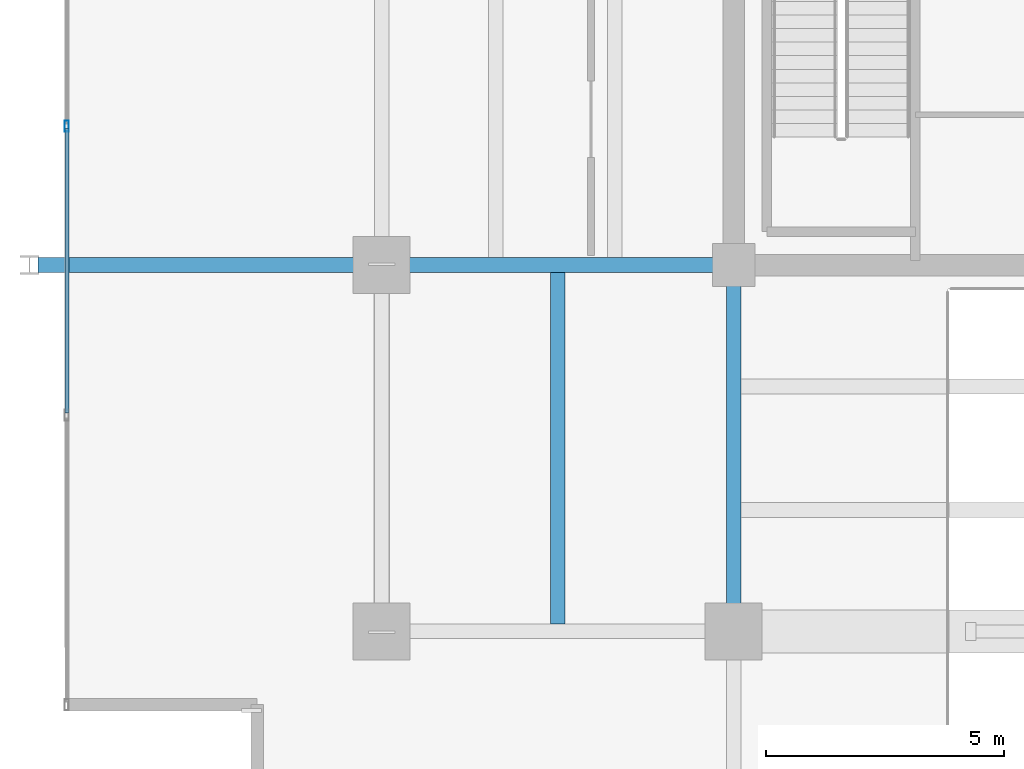
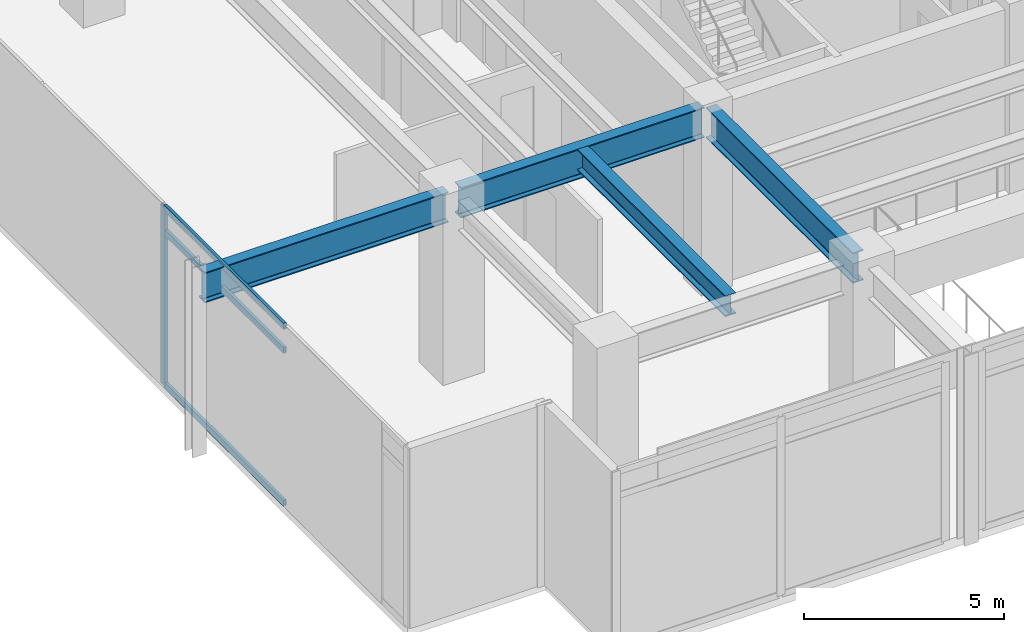
# One storey, part 3 of 25: 4 beams, 4 members, 1 element without a shape of its own.
"""IFC4 building model written with IfcOpenShell, lengths in metres."""

import ifcopenshell
import ifcopenshell.guid

model = None  # the IFC model being written
_history = None  # IfcOwnerHistory: only IFC2X3 demands one
_inside = {}  # id of a spatial element -> (the spatial element, [elements in it])
_under = {}  # id of a project, library or spatial element -> (it, [spatial elements below it])
_declared = {}  # id of a project -> (the project, [libraries it declares])
_typed = {}  # id of a type object -> (the type object, [elements of that type])
_made_of = {}  # id of a material, layer set ... -> (it, [elements and type objects made of it])


def new_model(schema):
    """Start an empty IFC model of exactly this schema.

    Asked for "IFC4X3", IfcOpenShell would pick the latest addendum, in which some entities
    have other attributes; the version numbers below select the first issue.
    IFC2X3 requires an IfcOwnerHistory on every rooted entity: one is made here for all.
    """
    global model, _history
    if schema == "IFC4X3":
        model = ifcopenshell.file(schema_version=(4, 3, 0, 0))
    else:
        model = ifcopenshell.file(schema=schema)
    _inside.clear()
    _under.clear()
    _declared.clear()
    _typed.clear()
    _made_of.clear()
    _history = None
    if model.schema == "IFC2X3":
        org = make("IfcOrganization", Name="unknown")
        user = make(
            "IfcPersonAndOrganization",
            ThePerson=make("IfcPerson", FamilyName="unknown"),
            TheOrganization=org,
        )
        app = make(
            "IfcApplication",
            ApplicationDeveloper=org,
            Version="unknown",
            ApplicationFullName="unknown",
            ApplicationIdentifier="unknown",
        )
        _history = make(
            "IfcOwnerHistory",
            OwningUser=user,
            OwningApplication=app,
            ChangeAction="ADDED",
            CreationDate=0,
        )
    return model


def make(cls, **values):
    """One entity of the class cls with the attributes given. An attribute that is None is left unset."""
    return model.create_entity(
        cls, **{name: value for name, value in values.items() if value is not None}
    )


def rooted(cls, **values):
    """An entity with a GlobalId (a new one), such as an element, a storey or a relation."""
    return make(cls, GlobalId=ifcopenshell.guid.new(), OwnerHistory=_history, **values)


def si_unit(unit_type, name, prefix=None):
    """IfcSIUnit, for example si_unit("LENGTHUNIT", "METRE", prefix="MILLI")."""
    return make("IfcSIUnit", UnitType=unit_type, Prefix=prefix, Name=name)


def assignment(units):
    """IfcUnitAssignment: the units of a project."""
    return None if units is None else make("IfcUnitAssignment", Units=units)


def point(xyz):
    """IfcCartesianPoint."""
    return None if xyz is None else make("IfcCartesianPoint", Coordinates=xyz)


def direction(xyz):
    """IfcDirection."""
    return None if xyz is None else make("IfcDirection", DirectionRatios=xyz)


def frame(location, z_axis=None, x_axis=None):
    """IfcAxis2Placement3D, a coordinate frame: its origin and axes. An axis left out is left unset."""
    return make(
        "IfcAxis2Placement3D",
        Location=point(location),
        Axis=direction(z_axis),
        RefDirection=direction(x_axis),
    )


def frame_2d(location, x_axis=None):
    """IfcAxis2Placement2D, a coordinate frame in the plane: its origin and x axis."""
    return make(
        "IfcAxis2Placement2D", Location=point(location), RefDirection=direction(x_axis)
    )


def origin():
    """The frame at (0, 0, 0) with its axes left unset."""
    return frame((0.0, 0.0, 0.0))


def origin_2d():
    """The frame at (0, 0) in the plane with its x axis left unset."""
    return frame_2d((0.0, 0.0))


def place(relative_to, where):
    """IfcLocalPlacement: puts the frame where relative to a parent placement (None: the world)."""
    return make(
        "IfcLocalPlacement", PlacementRelTo=relative_to, RelativePlacement=where
    )


def context(
    kind, dimensions, precision=None, world=None, true_north=None, identifier=None
):
    """IfcGeometricRepresentationContext, for example the 3D "Model" context."""
    return make(
        "IfcGeometricRepresentationContext",
        ContextIdentifier=identifier,
        ContextType=kind,
        CoordinateSpaceDimension=dimensions,
        Precision=precision,
        WorldCoordinateSystem=world,
        TrueNorth=true_north,
    )


def subcontext(parent, identifier, kind, view, scale=None):
    """IfcGeometricRepresentationSubContext, for example "Body" below "Model"."""
    return make(
        "IfcGeometricRepresentationSubContext",
        ContextIdentifier=identifier,
        ContextType=kind,
        ParentContext=parent,
        TargetScale=scale,
        TargetView=view,
    )


def project(units=None, contexts=None):
    """IfcProject with its units and contexts."""
    return rooted(
        "IfcProject",
        Name="project",
        RepresentationContexts=contexts,
        UnitsInContext=assignment(units),
    )


def spatial(cls, under=None, at=None, **own):
    """A site, building, storey or space (cls), placed at a placement, below another one or the project."""
    s = rooted(cls, ObjectPlacement=at, **own)
    if under is not None:
        _under.setdefault(under.id(), (under, []))[1].append(s)
    return s


def profile(cls, at=None, kind="AREA", **sizes):
    """A parametric profile (cls). Its sizes go by their IFC names, for example OverallWidth=200.0."""
    return make(cls, ProfileType=kind, Position=at, **sizes)


def hollow_rectangle(**sizes):
    """IfcRectangleHollowProfileDef."""
    return profile("IfcRectangleHollowProfileDef", **sizes)


def i_section(**sizes):
    """IfcIShapeProfileDef."""
    return profile("IfcIShapeProfileDef", **sizes)


def extrude(swept, where, along, depth):
    """IfcExtrudedAreaSolid: the profile swept, set in the frame where, extruded along a direction by depth."""
    return make(
        "IfcExtrudedAreaSolid",
        SweptArea=swept,
        Position=where,
        ExtrudedDirection=direction(along),
        Depth=depth,
    )


def shape(context_of_items, identifier, shape_type, items):
    """IfcShapeRepresentation: the items that make up one representation, for example the "Body"."""
    return make(
        "IfcShapeRepresentation",
        ContextOfItems=context_of_items,
        RepresentationIdentifier=identifier,
        RepresentationType=shape_type,
        Items=items,
    )


def material(Name=None, Category=None):
    """IfcMaterial."""
    return make("IfcMaterial", Name=Name, Category=Category)


def material_profile(
    of_material, cross_section, Name=None, Category=None, Priority=None
):
    """IfcMaterialProfile: a cross section and its material."""
    return make(
        "IfcMaterialProfile",
        Name=Name,
        Material=of_material,
        Profile=cross_section,
        Priority=Priority,
        Category=Category,
    )


def profile_set(profiles, Name=None, composite=None):
    """IfcMaterialProfileSet."""
    return make(
        "IfcMaterialProfileSet",
        Name=Name,
        MaterialProfiles=profiles,
        CompositeProfile=composite,
    )


def made_of(thing, what):
    """Note that an element or type object is made of a material, layer set ...; save() writes the relation."""
    if what is not None:
        _made_of.setdefault(what.id(), (what, []))[1].append(thing)
    return thing


def type_object(cls, material=None, **own):
    """A type object (cls), such as IfcWallType, which elements share."""
    return made_of(rooted(cls, **own), material)


def element(
    cls,
    number,
    at=None,
    inside=None,
    cuts=None,
    type_object=None,
    material=None,
    context=None,
    identifier="Body",
    shape_type=None,
    held_by="IfcProductDefinitionShape",
    body=None,
    shapes=None,
    **own,
):
    """One element of the class cls, such as IfcWall. Its Tag is "e" and its number.

    at: its placement. inside: the storey or other place that contains it. cuts: it is an
    opening in that element (IfcRelVoidsElement). A single representation is given by context,
    identifier, shape_type and body (its items); several are given by shapes. held_by: the class
    of the entity that holds the representations. save() writes the other relations.
    """
    e = rooted(cls, Tag="e%d" % number, ObjectPlacement=at, **own)
    if body is not None:
        shapes = [shape(context, identifier, shape_type, body)]
    if shapes is not None:
        e.Representation = make(held_by, Representations=shapes)
    if inside is not None:
        _inside.setdefault(inside.id(), (inside, []))[1].append(e)
    if cuts is not None:
        rooted(
            "IfcRelVoidsElement", RelatingBuildingElement=cuts, RelatedOpeningElement=e
        )
    if type_object is not None:
        _typed.setdefault(type_object.id(), (type_object, []))[1].append(e)
    return made_of(e, material)


def aggregate(whole, parts):
    """IfcRelAggregates: a whole, such as a stair, and the parts it consists of."""
    return rooted("IfcRelAggregates", RelatingObject=whole, RelatedObjects=parts)


def save(model, path):
    """Write the relations noted so far, then the file.

    IfcRelAggregates (storeys below a building ...), IfcRelContainedInSpatialStructure (elements
    in a storey), IfcRelDefinesByType, IfcRelAssociatesMaterial and IfcRelDeclares: one each for
    every whole, place, type object, material and project.
    """
    for whole, parts in _under.values():
        aggregate(whole, parts)
    for where, things in _inside.values():
        rooted(
            "IfcRelContainedInSpatialStructure",
            RelatedElements=things,
            RelatingStructure=where,
        )
    for kind, things in _typed.values():
        rooted("IfcRelDefinesByType", RelatedObjects=things, RelatingType=kind)
    for what, things in _made_of.values():
        rooted("IfcRelAssociatesMaterial", RelatedObjects=things, RelatingMaterial=what)
    for by, libraries in _declared.values():
        rooted("IfcRelDeclares", RelatingContext=by, RelatedDefinitions=libraries)
    model.write(path)


model = new_model("IFC4")

# Units and contexts
model_context = context("Model", 3, precision=1e-05, world=origin(), true_north=direction((0.0, 1.0)))
body_context = subcontext(model_context, "Body", "Model", "MODEL_VIEW")
ifc_project = project(units=[si_unit("LENGTHUNIT", "METRE"), si_unit("AREAUNIT", "SQUARE_METRE"), si_unit("VOLUMEUNIT", "CUBIC_METRE"), si_unit("PLANEANGLEUNIT", "RADIAN"), si_unit("MASSUNIT", "GRAM", prefix="KILO")], contexts=[model_context])

# Site, building, storey
site_placement = place(None, origin())
site = spatial("IfcSite", under=ifc_project, at=site_placement, CompositionType="ELEMENT")
building_placement = place(site_placement, origin())
building = spatial("IfcBuilding", under=site, at=building_placement, Name="Kovane Verandah Tower", CompositionType="ELEMENT")
storey_placement = place(building_placement, frame((0.0, 0.0, 295.199951171875)))
storey = spatial("IfcBuildingStorey", under=building, at=storey_placement, Name="L69", CompositionType="ELEMENT", Elevation=295.199951171875)

# Beams
ifc_material_1 = material(Name="Steel S460", Category="steel")
ifc_material_profile_1 = material_profile(ifc_material_1, i_section(OverallWidth=0.311279296875, OverallDepth=0.6357421875, WebThickness=0.018310546875, FlangeThickness=0.031494140625, FilletRadius=0.0166015625, at=origin_2d()), Name="UB610x305x238")
ifc_profile_set_1 = profile_set([ifc_material_profile_1], Name="Steel S460")
beam_type_1 = type_object("IfcBeamType", Name="BM-UB610x238", PredefinedType="BEAM", material=ifc_profile_set_1)
beam_1_placement = place(storey_placement, frame((25.300048828125, 10.951904296875, 5.18212890625), z_axis=(0.0, 1.0, 0.0), x_axis=(-1.0, 0.0, 0.0)))
element("IfcBeam", 1, at=beam_1_placement, inside=storey, type_object=beam_type_1, Name="L69 Secondary Composite Joist J-SW1", PredefinedType="BEAM", context=body_context, shape_type="SweptSolid", body=[
    extrude(i_section(OverallWidth=0.311279296875, OverallDepth=0.6357421875, WebThickness=0.018310546875, FlangeThickness=0.031494140625, FilletRadius=0.0166015625, at=origin_2d()), origin(), (0.0, 0.0, 1.0), 7.396240234375),
])
ifc_material_profile_2 = material_profile(ifc_material_1, i_section(OverallWidth=0.3076171875, OverallDepth=0.926513671875, WebThickness=0.01953125, FlangeThickness=0.031982421875, FilletRadius=0.01904296875, at=origin_2d()), Name="UB914x305x289")
ifc_profile_set_2 = profile_set([ifc_material_profile_2], Name="Steel S460")
beam_type_2 = type_object("IfcBeamType", Name="BM-UB914x289", PredefinedType="BEAM", material=ifc_profile_set_2)
beam_2_placement = place(storey_placement, frame((28.820068359375, 18.5, 5.036865234375), z_axis=(-1.0, 0.0, 0.0), x_axis=(0.0, -1.0, 0.0)))
element("IfcBeam", 2, at=beam_2_placement, inside=storey, type_object=beam_type_2, Name="L69 Primary Tower Girder G-W1", PredefinedType="BEAM", context=body_context, shape_type="SweptSolid", body=[
    extrude(i_section(OverallWidth=0.3076171875, OverallDepth=0.926513671875, WebThickness=0.01953125, FlangeThickness=0.031982421875, FilletRadius=0.01904296875, at=origin_2d()), origin(), (0.0, 0.0, 1.0), 7.0400390625),
])
beam_3_placement = place(storey_placement, frame((29.0, 18.320068359375, 5.036865234375), z_axis=(0.0, -1.0, 0.0), x_axis=(1.0, 0.0, 0.0)))
element("IfcBeam", 3, at=beam_3_placement, inside=storey, type_object=beam_type_2, Name="L69 Primary Tower Girder G-S1", PredefinedType="BEAM", context=body_context, shape_type="SweptSolid", body=[
    extrude(i_section(OverallWidth=0.3076171875, OverallDepth=0.926513671875, WebThickness=0.01953125, FlangeThickness=0.031982421875, FilletRadius=0.01904296875, at=origin_2d()), origin(), (0.0, 0.0, 1.0), 7.340087890625),
])
beam_4_placement = place(storey_placement, frame((21.419921875, 18.5, 5.036865234375), z_axis=(-1.0, 0.0, 0.0), x_axis=(0.0, -1.0, 0.0)))
element("IfcBeam", 4, at=beam_4_placement, inside=storey, type_object=beam_type_2, Name="L69 Primary Tower Girder G-VW1", PredefinedType="BEAM", context=body_context, shape_type="SweptSolid", body=[
    extrude(i_section(OverallWidth=0.3076171875, OverallDepth=0.926513671875, WebThickness=0.01953125, FlangeThickness=0.031982421875, FilletRadius=0.01904296875, at=origin_2d()), origin(), (0.0, 0.0, 1.0), 7.0400390625),
])

# Curtain wall, members
ifc_material_2 = material(Name="Champagne Anodised Aluminium Frame with Low-E Clear Laminated Glass", Category="aluminium")
curtain_wall_type = type_object("IfcCurtainWallType", Name="CW-SYS-05-HIGH", PredefinedType="NOTDEFINED", material=ifc_material_2)
curtain_wall_placement = place(storey_placement, origin())
curtain_wall = element("IfcCurtainWall", 5, at=curtain_wall_placement, inside=storey, type_object=curtain_wall_type, Name="L69 W Unitised Curtain Wall", PredefinedType="NOTDEFINED")
ifc_material_3 = material(Name="Champagne Anodised Aluminium 6063-T6", Category="aluminium")
ifc_material_profile_3 = material_profile(ifc_material_3, hollow_rectangle(XDim=0.0849609375, YDim=0.22998046875, WallThickness=0.00390625, at=origin_2d()), Name="AL85x230x4")
ifc_profile_set_3 = profile_set([ifc_material_profile_3], Name="Champagne Anodised Aluminium 6063-T6")
member_type_1 = type_object("IfcMemberType", Name="CW-MUL-85x230", PredefinedType="MULLION", material=ifc_profile_set_3)
member_1_placement = place(storey_placement, frame((14.982177734375, 21.41943359375, 0.02001953125), z_axis=(0.0, 0.0, 1.0), x_axis=(-1.0, 0.0, 0.0)))
member_1 = element("IfcMember", 6, at=member_1_placement, type_object=member_type_1, Name="L69 W Unitised Curtain Wall Mullion 5", PredefinedType="MULLION", context=body_context, shape_type="SweptSolid", body=[
    extrude(hollow_rectangle(XDim=0.0849609375, YDim=0.22998046875, WallThickness=0.00390625, at=origin_2d()), origin(), (0.0, 0.0, 1.0), 5.4599609375),
])
ifc_material_profile_4 = material_profile(ifc_material_3, hollow_rectangle(XDim=0.0849609375, YDim=0.18994140625, WallThickness=0.00390625, at=origin_2d()), Name="AL85x190x4")
ifc_profile_set_4 = profile_set([ifc_material_profile_4], Name="Champagne Anodised Aluminium 6063-T6")
member_type_2 = type_object("IfcMemberType", Name="CW-TRN-85x190", PredefinedType="USERDEFINED", material=ifc_profile_set_4)
member_2_placement = place(storey_placement, frame((14.982177734375, 21.369384765625, 0.050048828125), z_axis=(0.0, -1.0, 0.0), x_axis=(1.0, 0.0, 0.0)))
member_2 = element("IfcMember", 7, at=member_2_placement, type_object=member_type_2, Name="L69 W Unitised Curtain Wall Transom TB Bay 5", ObjectType="TRANSOM", PredefinedType="USERDEFINED", context=body_context, shape_type="SweptSolid", body=[
    extrude(hollow_rectangle(XDim=0.0849609375, YDim=0.18994140625, WallThickness=0.00390625, at=origin_2d()), origin(), (0.0, 0.0, 1.0), 5.98046875),
])
member_3_placement = place(storey_placement, frame((14.982177734375, 21.369384765625, 4.719970703125), z_axis=(0.0, -1.0, 0.0), x_axis=(1.0, 0.0, 0.0)))
member_3 = element("IfcMember", 8, at=member_3_placement, type_object=member_type_2, Name="L69 W Unitised Curtain Wall Transom TM Bay 5", ObjectType="TRANSOM", PredefinedType="USERDEFINED", context=body_context, shape_type="SweptSolid", body=[
    extrude(hollow_rectangle(XDim=0.0849609375, YDim=0.18994140625, WallThickness=0.00390625, at=origin_2d()), origin(), (0.0, 0.0, 1.0), 5.98046875),
])
member_4_placement = place(storey_placement, frame((14.982177734375, 21.369384765625, 5.449951171875), z_axis=(0.0, -1.0, 0.0), x_axis=(1.0, 0.0, 0.0)))
member_4 = element("IfcMember", 9, at=member_4_placement, type_object=member_type_2, Name="L69 W Unitised Curtain Wall Transom TT Bay 5", ObjectType="TRANSOM", PredefinedType="USERDEFINED", context=body_context, shape_type="SweptSolid", body=[
    extrude(hollow_rectangle(XDim=0.0849609375, YDim=0.18994140625, WallThickness=0.00390625, at=origin_2d()), origin(), (0.0, 0.0, 1.0), 5.98046875),
])
aggregate(curtain_wall, [member_1, member_2, member_3, member_4])

save(model, "model.ifc")
